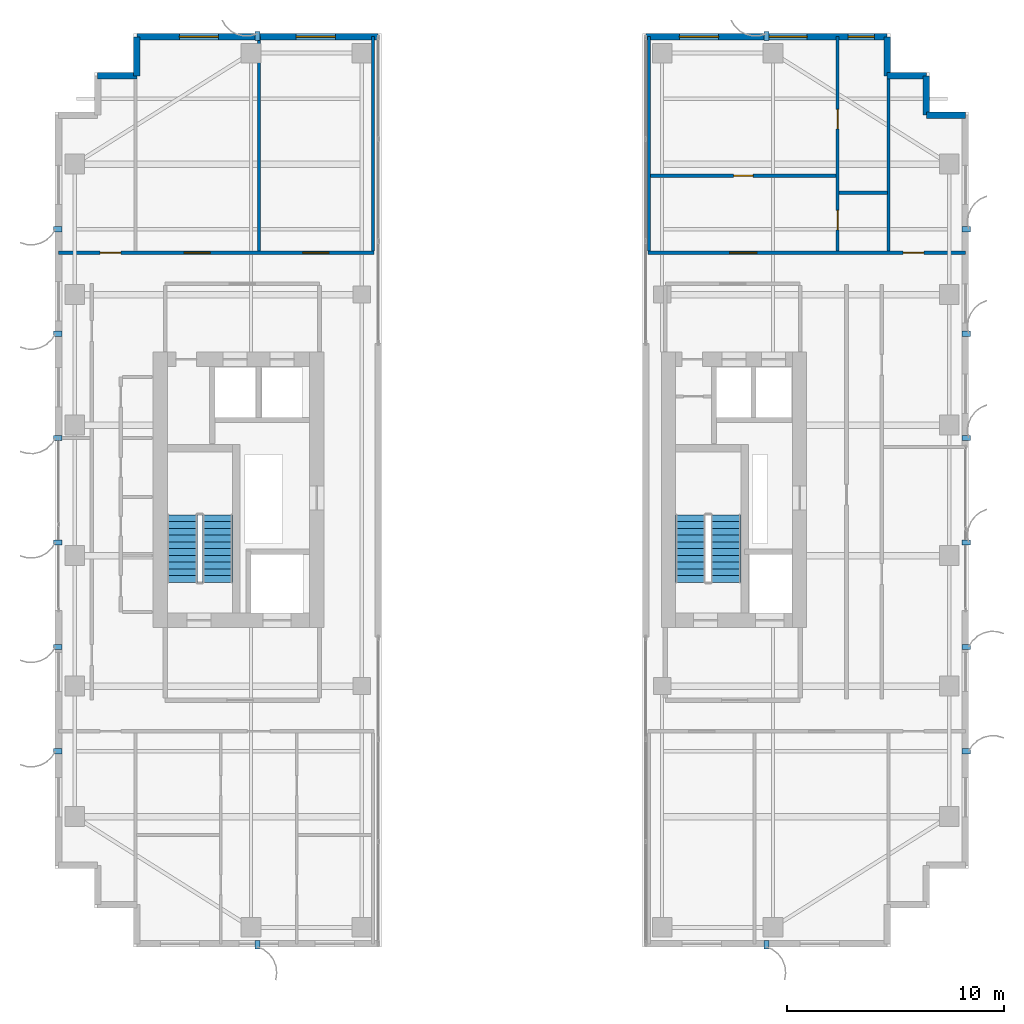
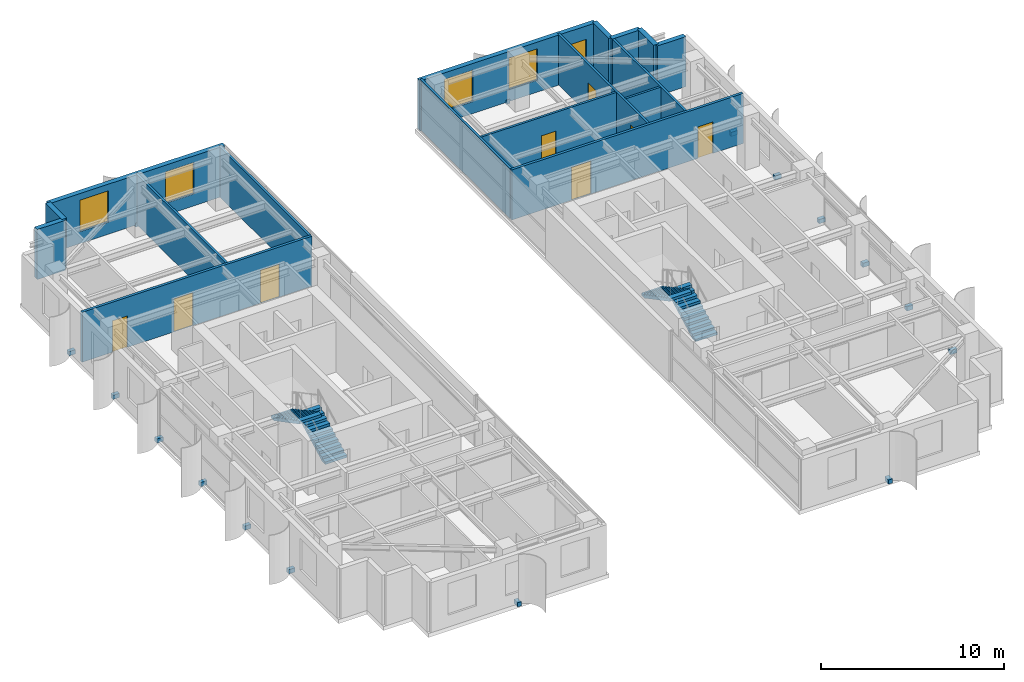
# One storey, part 19 of 22: 17 walls, 16 discrete accessories, 8 doors, 5 windows, 4 stair flights, 13 openings, 2 elements without a shape of their own.
"""IFC4 building model written with IfcOpenShell, lengths in metres."""

from ifc_helpers import new_model, si_unit, direction, frame, frame_2d, origin, origin_2d, place, context, subcontext, project, spatial, polyline, rectangle, outline, extrude, source, transform, mapped, material, layer, layer_set, type_object, element, fill, aggregate, save


model = new_model("IFC4")

# Units and contexts
model_context = context("Model", 3, precision=1e-05, world=origin(), true_north=direction((0.0, 1.0)))
body_context = subcontext(model_context, "Body", "Model", "MODEL_VIEW")
ifc_project = project(units=[si_unit("LENGTHUNIT", "METRE"), si_unit("AREAUNIT", "SQUARE_METRE"), si_unit("VOLUMEUNIT", "CUBIC_METRE"), si_unit("PLANEANGLEUNIT", "RADIAN"), si_unit("MASSUNIT", "GRAM", prefix="KILO")], contexts=[model_context])

# Site, building, storey
site_placement = place(None, origin())
site = spatial("IfcSite", under=ifc_project, at=site_placement, CompositionType="ELEMENT")
building_placement = place(site_placement, origin())
building = spatial("IfcBuilding", under=site, at=building_placement, Name="Khoralis Quay Care Tower", CompositionType="ELEMENT")
storey_placement = place(building_placement, frame((0.0, 0.0, 209.699951171875)))
storey = spatial("IfcBuildingStorey", under=building, at=storey_placement, Name="L55", CompositionType="ELEMENT", Elevation=209.699951171875)

# Wall, openings, doors
ifc_material_1 = material(Name="Gypsum plasterboard on acoustic metal stud")
ifc_layer_1 = layer(ifc_material_1, 0.1650390625)
ifc_layer_set_1 = layer_set([ifc_layer_1], Name="Gypsum plasterboard on acoustic metal stud")
wall_type_1 = type_object("IfcWallType", Name="WL-CORR-165", PredefinedType="PARTITIONING", material=ifc_layer_set_1)
wall_1_placement = place(storey_placement, frame((3.14501953125, 31.929931640625, 0.0), z_axis=(0.0, 0.0, 1.0), x_axis=(1.0, 0.0, 0.0)))
wall_1 = element("IfcWall", 1, at=wall_1_placement, inside=storey, type_object=wall_type_1, Name="L55 West Wing North Corridor Wall", PredefinedType="PARTITIONING", context=body_context, shape_type="SweptSolid", body=[
    extrude(rectangle(XDim=14.5048828125, YDim=0.1650390625, at=frame_2d((7.25244140625, 0.0))), origin(), (0.0, 0.0, 1.0), 3.340087890625),
])
opening_1_placement = place(wall_1_placement, frame((5.77490234375, 0.0, 0.0)))
opening_1 = element("IfcOpeningElement", 2, at=opening_1_placement, cuts=wall_1, Name="Opening FD1", PredefinedType="OPENING", context=body_context, shape_type="SweptSolid", body=[
    extrude(rectangle(XDim=1.199951171875, YDim=2.199951171875, at=frame_2d((0.60009765625, 1.10009765625))), frame((0.0, 0.092529296875, 0.0), z_axis=(0.0, -1.0, 0.0), x_axis=(1.0, 0.0, 0.0)), (0.0, 0.0, 1.0), 0.18505859375),
])
opening_2_placement = place(wall_1_placement, frame((11.235107421875, 0.0, 0.0)))
opening_2 = element("IfcOpeningElement", 3, at=opening_2_placement, cuts=wall_1, Name="Opening FD1", PredefinedType="OPENING", context=body_context, shape_type="SweptSolid", body=[
    extrude(rectangle(XDim=1.199951171875, YDim=2.199951171875, at=frame_2d((0.60009765625, 1.10009765625))), frame((0.0, 0.092529296875, 0.0), z_axis=(0.0, -1.0, 0.0), x_axis=(1.0, 0.0, 0.0)), (0.0, 0.0, 1.0), 0.18505859375),
])
opening_3_placement = place(wall_1_placement, frame((1.919921875, 0.0, 0.0)))
opening_3 = element("IfcOpeningElement", 4, at=opening_3_placement, cuts=wall_1, Name="Opening ID1", PredefinedType="OPENING", context=body_context, shape_type="SweptSolid", body=[
    extrude(rectangle(XDim=0.949951171875, YDim=2.10009765625, at=frame_2d((0.47509765625, 1.050048828125))), frame((0.0, 0.092529296875, 0.0), z_axis=(0.0, -1.0, 0.0), x_axis=(1.0, 0.0, 0.0)), (0.0, 0.0, 1.0), 0.18505859375),
])
ifc_material_2 = material(Name="Fire-rated painted steel", Category="steel")
door_type_1 = type_object("IfcDoorType", Name="DR-FFL-1200X2200", OperationType="NOTDEFINED", PredefinedType="DOOR", material=ifc_material_2)
shared_shape_1 = source(origin(), body_context, "Body", "SweptSolid", [
    extrude(rectangle(XDim=1.199951171875, YDim=2.199951171875, at=frame_2d((0.60009765625, 1.10009765625))), frame((0.0, 0.02490234375, 0.0), z_axis=(0.0, -1.0, 0.0), x_axis=(1.0, 0.0, 0.0)), (0.0, 0.0, 1.0), 0.050048828125),
])
door_1_placement = place(opening_1_placement, origin())
door_1 = element("IfcDoor", 5, at=door_1_placement, inside=storey, type_object=door_type_1, Name="L55 Resident Communal Day Lounge Door", OperationType="DOUBLE_DOOR_SINGLE_SWING", OverallHeight=2.199951171875, OverallWidth=1.199951171875, PredefinedType="DOOR", context=body_context, shape_type="MappedRepresentation", body=[
    mapped(shared_shape_1, transform((0.0, 0.0, 0.0), scale=1.0)),
])
fill(opening_1, door_1)
door_2_placement = place(opening_2_placement, origin())
door_2 = element("IfcDoor", 6, at=door_2_placement, inside=storey, type_object=door_type_1, Name="L55 Resident Communal Day Lounge Door", OperationType="DOUBLE_DOOR_SINGLE_SWING", OverallHeight=2.199951171875, OverallWidth=1.199951171875, PredefinedType="DOOR", context=body_context, shape_type="MappedRepresentation", body=[
    mapped(shared_shape_1, transform((0.0, 0.0, 0.0), scale=1.0)),
])
fill(opening_2, door_2)
ifc_material_3 = material(Name="Acoustic hardwood timber", Category="wood")
door_type_2 = type_object("IfcDoorType", Name="DR-ROOM-950X2100", OperationType="NOTDEFINED", PredefinedType="DOOR", material=ifc_material_3)
shared_shape_2 = source(origin(), body_context, "Body", "SweptSolid", [
    extrude(rectangle(XDim=0.949951171875, YDim=2.10009765625, at=frame_2d((0.47509765625, 1.050048828125))), frame((0.0, 0.02490234375, 0.0), z_axis=(0.0, -1.0, 0.0), x_axis=(1.0, 0.0, 0.0)), (0.0, 0.0, 1.0), 0.050048828125),
])
door_3_placement = place(opening_3_placement, origin())
door_3 = element("IfcDoor", 7, at=door_3_placement, inside=storey, type_object=door_type_2, Name="L55 NW Corner Door", OperationType="SINGLE_SWING_RIGHT", OverallHeight=2.10009765625, OverallWidth=0.949951171875, PredefinedType="DOOR", context=body_context, shape_type="MappedRepresentation", body=[
    mapped(shared_shape_2, transform((0.0, 0.0, 0.0), scale=1.0)),
])
fill(opening_3, door_3)

wall_2_placement = place(storey_placement, frame((30.25, 31.929931640625, 0.0), z_axis=(0.0, 0.0, 1.0), x_axis=(1.0, 0.0, 0.0)))
wall_2 = element("IfcWall", 8, at=wall_2_placement, inside=storey, type_object=wall_type_1, Name="L55 East Wing North Corridor Wall", PredefinedType="PARTITIONING", context=body_context, shape_type="SweptSolid", body=[
    extrude(rectangle(XDim=14.60498046875, YDim=0.1650390625, at=frame_2d((7.302490234375, 0.0))), origin(), (0.0, 0.0, 1.0), 3.340087890625),
])
opening_4_placement = place(wall_2_placement, frame((3.760009765625, 0.0, 0.0)))
opening_4 = element("IfcOpeningElement", 9, at=opening_4_placement, cuts=wall_2, Name="Opening CD1", PredefinedType="OPENING", context=body_context, shape_type="SweptSolid", body=[
    extrude(rectangle(XDim=1.25, YDim=2.199951171875, at=frame_2d((0.625, 1.10009765625))), frame((0.0, 0.092529296875, 0.0), z_axis=(0.0, -1.0, 0.0), x_axis=(1.0, 0.0, 0.0)), (0.0, 0.0, 1.0), 0.18505859375),
])
opening_5_placement = place(wall_2_placement, frame((11.735107421875, 0.0, 0.0)))
opening_5 = element("IfcOpeningElement", 10, at=opening_5_placement, cuts=wall_2, Name="Opening ID1", PredefinedType="OPENING", context=body_context, shape_type="SweptSolid", body=[
    extrude(rectangle(XDim=0.949951171875, YDim=2.10009765625, at=frame_2d((0.47509765625, 1.050048828125))), frame((0.0, 0.092529296875, 0.0), z_axis=(0.0, -1.0, 0.0), x_axis=(1.0, 0.0, 0.0)), (0.0, 0.0, 1.0), 0.18505859375),
])
door_type_3 = type_object("IfcDoorType", Name="DR-CARE-1250X2200", OperationType="NOTDEFINED", PredefinedType="DOOR", material=ifc_material_3)
shared_shape_3 = source(origin(), body_context, "Body", "SweptSolid", [
    extrude(rectangle(XDim=1.25, YDim=2.199951171875, at=frame_2d((0.625, 1.10009765625))), frame((0.0, 0.02490234375, 0.0), z_axis=(0.0, -1.0, 0.0), x_axis=(1.0, 0.0, 0.0)), (0.0, 0.0, 1.0), 0.050048828125),
])
door_4_placement = place(opening_4_placement, origin())
door_4 = element("IfcDoor", 11, at=door_4_placement, inside=storey, type_object=door_type_3, Name="L55 Care Suite EN0 Clinical Door", OperationType="SINGLE_SWING_RIGHT", OverallHeight=2.199951171875, OverallWidth=1.25, PredefinedType="DOOR", context=body_context, shape_type="MappedRepresentation", body=[
    mapped(shared_shape_3, transform((0.0, 0.0, 0.0), scale=1.0)),
])
fill(opening_4, door_4)
door_5_placement = place(opening_5_placement, origin())
door_5 = element("IfcDoor", 12, at=door_5_placement, inside=storey, type_object=door_type_2, Name="L55 NE Corner Door", OperationType="SINGLE_SWING_LEFT", OverallHeight=2.10009765625, OverallWidth=0.949951171875, PredefinedType="DOOR", context=body_context, shape_type="MappedRepresentation", body=[
    mapped(shared_shape_2, transform((0.0, 0.0, 0.0), scale=1.0)),
])
fill(opening_5, door_5)

# Wall, openings, windows
ifc_material_4 = material(Name="Precast concrete C45/55", Category="concrete")
ifc_layer_2 = layer(ifc_material_4, 0.300048828125)
ifc_layer_set_2 = layer_set([ifc_layer_2], Name="Precast concrete C45/55")
wall_type_2 = type_object("IfcWallType", Name="WL-EXT-REF-300", PredefinedType="SOLIDWALL", material=ifc_layer_set_2)
wall_3_placement = place(storey_placement, frame((17.85009765625, 41.85009765625, 0.0), z_axis=(0.0, 0.0, 1.0), x_axis=(-1.0, 0.0, 0.0)))
wall_3 = element("IfcWall", 13, at=wall_3_placement, inside=storey, type_object=wall_type_2, Name="L55 External Facade Wall WL-EXT-L55-P1-E2", PredefinedType="SOLIDWALL", context=body_context, shape_type="SweptSolid", body=[
    extrude(rectangle(XDim=11.10009765625, YDim=0.300048828125, at=frame_2d((5.550048828125, 0.0))), origin(), (0.0, 0.0, 1.0), 3.340087890625),
])
opening_6_placement = place(wall_3_placement, frame((1.969970703125, 0.0, 0.800048828125)))
opening_6 = element("IfcOpeningElement", 14, at=opening_6_placement, cuts=wall_3, Name="Opening W2", PredefinedType="OPENING", context=body_context, shape_type="SweptSolid", body=[
    extrude(rectangle(XDim=1.800048828125, YDim=2.10009765625, at=frame_2d((0.89990234375, 1.050048828125))), frame((0.0, 0.16015625, 0.0), z_axis=(0.0, -1.0, 0.0), x_axis=(1.0, 0.0, 0.0)), (0.0, 0.0, 1.0), 0.320068359375),
])
opening_7_placement = place(wall_3_placement, frame((7.344970703125, 0.0, 0.800048828125)))
opening_7 = element("IfcOpeningElement", 15, at=opening_7_placement, cuts=wall_3, Name="Opening W2", PredefinedType="OPENING", context=body_context, shape_type="SweptSolid", body=[
    extrude(rectangle(XDim=1.800048828125, YDim=2.10009765625, at=frame_2d((0.89990234375, 1.050048828125))), frame((0.0, 0.16015625, 0.0), z_axis=(0.0, -1.0, 0.0), x_axis=(1.0, 0.0, 0.0)), (0.0, 0.0, 1.0), 0.320068359375),
])
ifc_material_5 = material(Name="Low-E solar-control double glazing", Category="glass")
window_type_1 = type_object("IfcWindowType", Name="WN-POD-1800X2100", PartitioningType="SINGLE_PANEL", PredefinedType="WINDOW", material=ifc_material_5)
shared_shape_4 = source(origin(), body_context, "Body", "SweptSolid", [
    extrude(rectangle(XDim=1.800048828125, YDim=2.10009765625, at=frame_2d((0.89990234375, 1.050048828125))), frame((0.0, 0.030029296875, 0.0), z_axis=(0.0, -1.0, 0.0), x_axis=(1.0, 0.0, 0.0)), (0.0, 0.0, 1.0), 0.06005859375),
])
window_1_placement = place(opening_6_placement, origin())
window_1 = element("IfcWindow", 16, at=window_1_placement, inside=storey, type_object=window_type_1, Name="WN-L55-P1-E2 Facade Window 01", OverallHeight=2.10009765625, OverallWidth=1.800048828125, PartitioningType="SINGLE_PANEL", PredefinedType="WINDOW", context=body_context, shape_type="MappedRepresentation", body=[
    mapped(shared_shape_4, transform((0.0, 0.0, 0.0), scale=1.0)),
])
fill(opening_6, window_1)
window_2_placement = place(opening_7_placement, origin())
window_2 = element("IfcWindow", 17, at=window_2_placement, inside=storey, type_object=window_type_1, Name="WN-L55-P1-E2 Facade Window 02", OverallHeight=2.10009765625, OverallWidth=1.800048828125, PartitioningType="SINGLE_PANEL", PredefinedType="WINDOW", context=body_context, shape_type="MappedRepresentation", body=[
    mapped(shared_shape_4, transform((0.0, 0.0, 0.0), scale=1.0)),
])
fill(opening_7, window_2)

# Walls
for number, where, z_axis, x_axis, name in (
    (18, (6.75, 41.85009765625, 0.0), (0.0, 0.0, 1.0), (0.0, -1.0, 0.0), "L55 External Facade Wall WL-EXT-L55-P1-C3"),
    (19, (6.75, 40.050048828125, 0.0), (0.0, 0.0, 1.0), (-1.0, 0.0, 0.0), "L55 External Facade Wall WL-EXT-L55-P1-C4"),
    (20, (44.85009765625, 38.25, 0.0), (0.0, 0.0, 1.0), (-1.0, 0.0, 0.0), "L55 External Facade Wall WL-EXT-L55-P2-C6"),
    (21, (43.050048828125, 38.25, 0.0), (0.0, 0.0, 1.0), (0.0, 1.0, 0.0), "L55 External Facade Wall WL-EXT-L55-P2-C7"),
    (22, (43.050048828125, 40.050048828125, 0.0), (0.0, 0.0, 1.0), (-1.0, 0.0, 0.0), "L55 External Facade Wall WL-EXT-L55-P2-C8"),
    (23, (41.25, 40.050048828125, 0.0), (0.0, 0.0, 1.0), (0.0, 1.0, 0.0), "L55 External Facade Wall WL-EXT-L55-P2-C9"),
):
    element("IfcWall", number, at=place(storey_placement, frame(where, z_axis=z_axis, x_axis=x_axis)), inside=storey, type_object=wall_type_2, Name=name, PredefinedType="SOLIDWALL", context=body_context, shape_type="SweptSolid", body=[
        extrude(rectangle(XDim=1.800048828125, YDim=0.300048828125, at=frame_2d((0.89990234375, 0.0))), origin(), (0.0, 0.0, 1.0), 3.340087890625),
    ])

# Wall, openings, windows
wall_4_placement = place(storey_placement, frame((41.25, 41.85009765625, 0.0), z_axis=(0.0, 0.0, 1.0), x_axis=(-1.0, 0.0, 0.0)))
wall_4 = element("IfcWall", 24, at=wall_4_placement, inside=storey, type_object=wall_type_2, Name="L55 External Facade Wall WL-EXT-L55-P2-E10", PredefinedType="SOLIDWALL", context=body_context, shape_type="SweptSolid", body=[
    extrude(rectangle(XDim=11.10009765625, YDim=0.300048828125, at=frame_2d((5.550048828125, 0.0))), origin(), (0.0, 0.0, 1.0), 3.340087890625),
])
opening_8_placement = place(wall_4_placement, frame((0.590087890625, 0.0, 0.949951171875)))
opening_8 = element("IfcOpeningElement", 25, at=opening_8_placement, cuts=wall_4, Name="Opening W6", PredefinedType="OPENING", context=body_context, shape_type="SweptSolid", body=[
    extrude(rectangle(XDim=1.199951171875, YDim=1.5, at=frame_2d((0.60009765625, 0.75))), frame((0.0, 0.16015625, 0.0), z_axis=(0.0, -1.0, 0.0), x_axis=(1.0, 0.0, 0.0)), (0.0, 0.0, 1.0), 0.320068359375),
])
opening_9_placement = place(wall_4_placement, frame((3.677490234375, 0.0, 0.800048828125)))
opening_9 = element("IfcOpeningElement", 26, at=opening_9_placement, cuts=wall_4, Name="Opening W2", PredefinedType="OPENING", context=body_context, shape_type="SweptSolid", body=[
    extrude(rectangle(XDim=1.800048828125, YDim=2.10009765625, at=frame_2d((0.89990234375, 1.050048828125))), frame((0.0, 0.16015625, 0.0), z_axis=(0.0, -1.0, 0.0), x_axis=(1.0, 0.0, 0.0)), (0.0, 0.0, 1.0), 0.320068359375),
])
opening_10_placement = place(wall_4_placement, frame((7.75244140625, 0.0, 0.800048828125)))
opening_10 = element("IfcOpeningElement", 27, at=opening_10_placement, cuts=wall_4, Name="Opening W2", PredefinedType="OPENING", context=body_context, shape_type="SweptSolid", body=[
    extrude(rectangle(XDim=1.800048828125, YDim=2.10009765625, at=frame_2d((0.89990234375, 1.050048828125))), frame((0.0, 0.16015625, 0.0), z_axis=(0.0, -1.0, 0.0), x_axis=(1.0, 0.0, 0.0)), (0.0, 0.0, 1.0), 0.320068359375),
])
window_type_2 = type_object("IfcWindowType", Name="WN-SCH-1200X1500", PartitioningType="SINGLE_PANEL", PredefinedType="WINDOW", material=ifc_material_5)
shared_shape_5 = source(origin(), body_context, "Body", "SweptSolid", [
    extrude(rectangle(XDim=1.199951171875, YDim=1.5, at=frame_2d((0.60009765625, 0.75))), frame((0.0, 0.030029296875, 0.0), z_axis=(0.0, -1.0, 0.0), x_axis=(1.0, 0.0, 0.0)), (0.0, 0.0, 1.0), 0.06005859375),
])
window_3_placement = place(opening_8_placement, origin())
window_3 = element("IfcWindow", 28, at=window_3_placement, inside=storey, type_object=window_type_2, Name="WN-L55-P2-E10 Facade Window 01", OverallHeight=1.5, OverallWidth=1.199951171875, PartitioningType="SINGLE_PANEL", PredefinedType="WINDOW", context=body_context, shape_type="MappedRepresentation", body=[
    mapped(shared_shape_5, transform((0.0, 0.0, 0.0), scale=1.0)),
])
fill(opening_8, window_3)
window_4_placement = place(opening_9_placement, origin())
window_4 = element("IfcWindow", 29, at=window_4_placement, inside=storey, type_object=window_type_1, Name="WN-L55-P2-E10 Facade Window 02", OverallHeight=2.10009765625, OverallWidth=1.800048828125, PartitioningType="SINGLE_PANEL", PredefinedType="WINDOW", context=body_context, shape_type="MappedRepresentation", body=[
    mapped(shared_shape_4, transform((0.0, 0.0, 0.0), scale=1.0)),
])
fill(opening_9, window_4)
window_5_placement = place(opening_10_placement, origin())
window_5 = element("IfcWindow", 30, at=window_5_placement, inside=storey, type_object=window_type_1, Name="WN-L55-P2-E10 Facade Window 03", OverallHeight=2.10009765625, OverallWidth=1.800048828125, PartitioningType="SINGLE_PANEL", PredefinedType="WINDOW", context=body_context, shape_type="MappedRepresentation", body=[
    mapped(shared_shape_4, transform((0.0, 0.0, 0.0), scale=1.0)),
])
fill(opening_10, window_5)

# Wall, openings, doors
ifc_material_6 = material(Name="Moisture-resistant gypsum and ceramic tile")
ifc_layer_3 = layer(ifc_material_6, 0.280029296875)
ifc_layer_set_3 = layer_set([ifc_layer_3], Name="Moisture-resistant gypsum and ceramic tile")
wall_type_3 = type_object("IfcWallType", Name="WL-PLUMB-280", PredefinedType="PLUMBINGWALL", material=ifc_layer_set_3)
wall_5_placement = place(storey_placement, frame((38.969970703125, 32.007568359375, 0.0), z_axis=(0.0, 0.0, 1.0), x_axis=(0.0, 1.0, 0.0)))
wall_5 = element("IfcWall", 31, at=wall_5_placement, inside=storey, type_object=wall_type_3, Name="L55 Care Suite 0 En-Suite Wall V", PredefinedType="PLUMBINGWALL", context=body_context, shape_type="SweptSolid", body=[
    extrude(rectangle(XDim=9.847412109375, YDim=0.139892578125, at=frame_2d((4.923828125, 0.0))), origin(), (0.0, 0.0, 1.0), 3.340087890625),
])
opening_11_placement = place(wall_5_placement, frame((0.96240234375, 0.0, 0.0)))
opening_11 = element("IfcOpeningElement", 32, at=opening_11_placement, cuts=wall_5, Name="Opening WD1", PredefinedType="OPENING", context=body_context, shape_type="SweptSolid", body=[
    extrude(rectangle(XDim=0.89990234375, YDim=2.10009765625, at=frame_2d((0.449951171875, 1.050048828125))), frame((0.0, 0.080078125, 0.0), z_axis=(0.0, -1.0, 0.0), x_axis=(1.0, 0.0, 0.0)), (0.0, 0.0, 1.0), 0.159912109375),
])
opening_12_placement = place(wall_5_placement, frame((5.607421875, 0.0, 0.0)))
opening_12 = element("IfcOpeningElement", 33, at=opening_12_placement, cuts=wall_5, Name="Opening WD1", PredefinedType="OPENING", context=body_context, shape_type="SweptSolid", body=[
    extrude(rectangle(XDim=0.89990234375, YDim=2.10009765625, at=frame_2d((0.449951171875, 1.050048828125))), frame((0.0, 0.080078125, 0.0), z_axis=(0.0, -1.0, 0.0), x_axis=(1.0, 0.0, 0.0)), (0.0, 0.0, 1.0), 0.159912109375),
])
door_type_4 = type_object("IfcDoorType", Name="DR-BATH-900X2100", OperationType="NOTDEFINED", PredefinedType="DOOR", material=ifc_material_3)
shared_shape_6 = source(origin(), body_context, "Body", "SweptSolid", [
    extrude(rectangle(XDim=0.89990234375, YDim=2.10009765625, at=frame_2d((0.449951171875, 1.050048828125))), frame((0.0, 0.02490234375, 0.0), z_axis=(0.0, -1.0, 0.0), x_axis=(1.0, 0.0, 0.0)), (0.0, 0.0, 1.0), 0.050048828125),
])
door_6_placement = place(opening_11_placement, frame((0.89990234375, 0.0, 0.0), z_axis=(0.0, 0.0, 1.0), x_axis=(-1.0, 0.0, 0.0)))
door_6 = element("IfcDoor", 34, at=door_6_placement, inside=storey, type_object=door_type_4, Name="L55 Care CENS Door", OperationType="SINGLE_SWING_LEFT", OverallHeight=2.10009765625, OverallWidth=0.89990234375, PredefinedType="DOOR", context=body_context, shape_type="MappedRepresentation", body=[
    mapped(shared_shape_6, transform((0.0, 0.0, 0.0), scale=1.0)),
])
fill(opening_11, door_6)
door_7_placement = place(opening_12_placement, frame((0.89990234375, 0.0, 0.0), z_axis=(0.0, 0.0, 1.0), x_axis=(-1.0, 0.0, 0.0)))
door_7 = element("IfcDoor", 35, at=door_7_placement, inside=storey, type_object=door_type_4, Name="L55 Care CSIT Door", OperationType="SINGLE_SWING_RIGHT", OverallHeight=2.10009765625, OverallWidth=0.89990234375, PredefinedType="DOOR", context=body_context, shape_type="MappedRepresentation", body=[
    mapped(shared_shape_6, transform((0.0, 0.0, 0.0), scale=1.0)),
])
fill(opening_12, door_7)

# Walls
wall_6_placement = place(storey_placement, frame((39.034912109375, 34.679931640625, 0.0), z_axis=(0.0, 0.0, 1.0), x_axis=(1.0, 0.0, 0.0)))
element("IfcWall", 36, at=wall_6_placement, inside=storey, type_object=wall_type_3, Name="L55 Care Suite 0 En-Suite Wall H", PredefinedType="PLUMBINGWALL", context=body_context, shape_type="SweptSolid", body=[
    extrude(rectangle(XDim=2.219970703125, YDim=0.139892578125, at=frame_2d((1.10986328125, 0.0))), origin(), (0.0, 0.0, 1.0), 3.340087890625),
])
ifc_layer_4 = layer(ifc_material_1, 0.139892578125)
ifc_layer_set_4 = layer_set([ifc_layer_4], Name="Gypsum plasterboard on acoustic metal stud")
wall_type_4 = type_object("IfcWallType", Name="WL-UNIT-140", PredefinedType="PARTITIONING", material=ifc_layer_set_4)
for number, where, z_axis, x_axis, name in (
    (37, (12.360107421875, 32.007568359375, 0.0), (0.0, 0.0, 1.0), (0.0, 1.0, 0.0), "L55 WN Demising Wall 1"),
    (38, (17.60009765625, 32.007568359375, 0.0), (0.0, 0.0, 1.0), (0.0, 1.0, 0.0), "L55 WN Demising Wall 2"),
    (39, (30.300048828125, 32.007568359375, 0.0), (0.0, 0.0, 1.0), (0.0, 1.0, 0.0), "L55 EN Demising Wall 0"),
):
    element("IfcWall", number, at=place(storey_placement, frame(where, z_axis=z_axis, x_axis=x_axis)), inside=storey, type_object=wall_type_4, Name=name, PredefinedType="PARTITIONING", context=body_context, shape_type="SweptSolid", body=[
        extrude(rectangle(XDim=9.847412109375, YDim=0.139892578125, at=frame_2d((4.923828125, 0.0))), origin(), (0.0, 0.0, 1.0), 3.340087890625),
    ])
wall_7_placement = place(storey_placement, frame((41.320068359375, 32.007568359375, 0.0), z_axis=(0.0, 0.0, 1.0), x_axis=(0.0, 1.0, 0.0)))
element("IfcWall", 40, at=wall_7_placement, inside=storey, type_object=wall_type_4, Name="L55 EN Demising Wall 1", PredefinedType="PARTITIONING", context=body_context, shape_type="SweptSolid", body=[
    extrude(rectangle(XDim=8.04736328125, YDim=0.139892578125, at=frame_2d((4.023681640625, 0.0))), origin(), (0.0, 0.0, 1.0), 3.340087890625),
])

# Wall, opening, door
wall_8_placement = place(storey_placement, frame((30.364990234375, 35.4599609375, 0.0), z_axis=(0.0, 0.0, 1.0), x_axis=(1.0, 0.0, 0.0)))
wall_8 = element("IfcWall", 41, at=wall_8_placement, inside=storey, type_object=wall_type_4, Name="Skilled Care Bedroom L55-EN0 Sub-Partition", PredefinedType="PARTITIONING", context=body_context, shape_type="SweptSolid", body=[
    extrude(rectangle(XDim=8.5400390625, YDim=0.139892578125, at=frame_2d((4.27001953125, 0.0))), origin(), (0.0, 0.0, 1.0), 3.340087890625),
])
opening_13_placement = place(wall_8_placement, frame((3.820068359375, 0.0, 0.0)))
opening_13 = element("IfcOpeningElement", 42, at=opening_13_placement, cuts=wall_8, Name="Opening WD1", PredefinedType="OPENING", context=body_context, shape_type="SweptSolid", body=[
    extrude(rectangle(XDim=0.89990234375, YDim=2.10009765625, at=frame_2d((0.449951171875, 1.050048828125))), frame((0.0, 0.080078125, 0.0), z_axis=(0.0, -1.0, 0.0), x_axis=(1.0, 0.0, 0.0)), (0.0, 0.0, 1.0), 0.159912109375),
])
door_8_placement = place(opening_13_placement, frame((0.89990234375, 0.0, 0.0), z_axis=(0.0, 0.0, 1.0), x_axis=(-1.0, 0.0, 0.0)))
door_8 = element("IfcDoor", 43, at=door_8_placement, inside=storey, type_object=door_type_4, Name="Private Study & Reading Alcove ARE0 Door", OperationType="SINGLE_SWING_LEFT", OverallHeight=2.10009765625, OverallWidth=0.89990234375, PredefinedType="DOOR", context=body_context, shape_type="MappedRepresentation", body=[
    mapped(shared_shape_6, transform((0.0, 0.0, 0.0), scale=1.0)),
])
fill(opening_13, door_8)

# Stair, stair flights
stair_type = type_object("IfcStairType", Name="ST-TWR-DOGLEG-1400", PredefinedType="HALF_TURN_STAIR", material=ifc_material_4)
stair_1_placement = place(storey_placement, origin())
stair_1 = element("IfcStair", 44, at=stair_1_placement, inside=storey, type_object=stair_type, Name="L55 West Core Exit Stair ST-T1", PredefinedType="HALF_TURN_STAIR")
stair_flight_type = type_object("IfcStairFlightType", Name="SF-TWR-1400", PredefinedType="STRAIGHT", material=ifc_material_4)
shared_shape_7 = source(origin(), body_context, "Body", "SweptSolid", [
    extrude(outline(polyline([(0.0, 0.0), (0.0, 0.16357421875), (0.31005859375, 0.16357421875), (0.31005859375, 0.327392578125), (0.6201171875, 0.327392578125), (0.6201171875, 0.490966796875), (0.929931640625, 0.490966796875), (0.929931640625, 0.654541015625), (1.239990234375, 0.654541015625), (1.239990234375, 0.818115234375), (1.550048828125, 0.818115234375), (1.550048828125, 0.98193359375), (1.860107421875, 0.98193359375), (1.860107421875, 1.1455078125), (2.169921875, 1.1455078125), (2.169921875, 1.30908203125), (2.47998046875, 1.30908203125), (2.47998046875, 1.47265625), (2.7900390625, 1.47265625), (2.7900390625, 1.636474609375), (3.10009765625, 1.636474609375), (3.10009765625, 1.800048828125), (3.10009765625, 1.466796875), (0.321044921875, 0.0), (0.0, 0.0)])), frame((0.0, 0.68994140625, 0.0), z_axis=(0.0, -1.0, 0.0), x_axis=(1.0, 0.0, 0.0)), (0.0, 0.0, 1.0), 1.3798828125),
])
stair_flight_1_placement = place(storey_placement, frame((10.4599609375, 16.77001953125, 0.0), z_axis=(0.0, 0.0, 1.0), x_axis=(0.0, 1.0, 0.0)))
stair_flight_1 = element("IfcStairFlight", 45, at=stair_flight_1_placement, type_object=stair_flight_type, Name="ST-T1 flight 1", NumberOfRisers=11, NumberOfTreads=10, PredefinedType="STRAIGHT", RiserHeight=0.163636364, TreadLength=0.31, context=body_context, shape_type="MappedRepresentation", body=[
    mapped(shared_shape_7, transform((0.0, 0.0, 0.0), scale=1.0)),
])
stair_flight_2_placement = place(storey_placement, frame((8.840087890625, 19.8701171875, 1.800048828125), z_axis=(0.0, 0.0, 1.0), x_axis=(0.0, -1.0, 0.0)))
stair_flight_2 = element("IfcStairFlight", 46, at=stair_flight_2_placement, type_object=stair_flight_type, Name="ST-T1 flight 2", NumberOfRisers=11, NumberOfTreads=10, PredefinedType="STRAIGHT", RiserHeight=0.163636364, TreadLength=0.31, context=body_context, shape_type="MappedRepresentation", body=[
    mapped(shared_shape_7, transform((0.0, 0.0, 0.0), scale=1.0)),
])
aggregate(stair_1, [stair_flight_1, stair_flight_2])

stair_2_placement = place(storey_placement, origin())
stair_2 = element("IfcStair", 47, at=stair_2_placement, inside=storey, type_object=stair_type, Name="L55 East Core Exit Stair ST-T2", PredefinedType="HALF_TURN_STAIR")
stair_flight_3_placement = place(storey_placement, frame((33.830078125, 16.77001953125, 0.0), z_axis=(0.0, 0.0, 1.0), x_axis=(0.0, 1.0, 0.0)))
stair_flight_3 = element("IfcStairFlight", 48, at=stair_flight_3_placement, type_object=stair_flight_type, Name="ST-T2 flight 1", NumberOfRisers=11, NumberOfTreads=10, PredefinedType="STRAIGHT", RiserHeight=0.163636364, TreadLength=0.31, context=body_context, shape_type="MappedRepresentation", body=[
    mapped(shared_shape_7, transform((0.0, 0.0, 0.0), scale=1.0)),
])
stair_flight_4_placement = place(storey_placement, frame((32.2099609375, 19.8701171875, 1.800048828125), z_axis=(0.0, 0.0, 1.0), x_axis=(0.0, -1.0, 0.0)))
stair_flight_4 = element("IfcStairFlight", 49, at=stair_flight_4_placement, type_object=stair_flight_type, Name="ST-T2 flight 2", NumberOfRisers=11, NumberOfTreads=10, PredefinedType="STRAIGHT", RiserHeight=0.163636364, TreadLength=0.31, context=body_context, shape_type="MappedRepresentation", body=[
    mapped(shared_shape_7, transform((0.0, 0.0, 0.0), scale=1.0)),
])
aggregate(stair_2, [stair_flight_3, stair_flight_4])

# Discrete accessories
ifc_material_7 = material(Name="Brushed stainless steel", Category="steel")
discrete_accessory_type = type_object("IfcDiscreteAccessoryType", Name="ACC-FIN-BRACKET", PredefinedType="BRACKET", material=ifc_material_7)
shared_shape_8 = source(origin(), body_context, "Body", "SweptSolid", [
    extrude(rectangle(XDim=0.39990234375, YDim=0.239990234375, at=origin_2d()), origin(), (0.0, 0.0, 1.0), 0.280029296875),
])
for number, where, z_axis, x_axis, name in (
    (50, (12.300048828125, 0.110107421875, -0.1201171875), (0.0, 0.0, 1.0), (0.0, -1.0, 0.0), "L55 Solar Fin Bracket P1E0-01"),
    (51, (12.300048828125, 41.889892578125, -0.1201171875), (0.0, 0.0, 1.0), (0.0, 1.0, 0.0), "L55 Solar Fin Bracket P1E2-01"),
    (52, (3.110107421875, 33.0, -0.1201171875), (0.0, 0.0, 1.0), (-1.0, 0.0, 0.0), "L55 Solar Fin Bracket P1E7-01"),
    (53, (3.110107421875, 28.199951171875, -0.1201171875), (0.0, 0.0, 1.0), (-1.0, 0.0, 0.0), "L55 Solar Fin Bracket P1E7-02"),
    (54, (3.110107421875, 23.39990234375, -0.1201171875), (0.0, 0.0, 1.0), (-1.0, 0.0, 0.0), "L55 Solar Fin Bracket P1E7-03"),
    (55, (3.110107421875, 18.60009765625, -0.1201171875), (0.0, 0.0, 1.0), (-1.0, 0.0, 0.0), "L55 Solar Fin Bracket P1E7-04"),
    (56, (3.110107421875, 13.800048828125, -0.1201171875), (0.0, 0.0, 1.0), (-1.0, 0.0, 0.0), "L55 Solar Fin Bracket P1E7-05"),
    (57, (3.110107421875, 9.0, -0.1201171875), (0.0, 0.0, 1.0), (-1.0, 0.0, 0.0), "L55 Solar Fin Bracket P1E7-06"),
    (58, (35.699951171875, 0.110107421875, -0.1201171875), (0.0, 0.0, 1.0), (0.0, -1.0, 0.0), "L55 Solar Fin Bracket P2E0-01"),
    (59, (44.889892578125, 9.0, -0.1201171875), (0.0, 0.0, 1.0), (1.0, 0.0, 0.0), "L55 Solar Fin Bracket P2E5-01"),
    (60, (44.889892578125, 13.800048828125, -0.1201171875), (0.0, 0.0, 1.0), (1.0, 0.0, 0.0), "L55 Solar Fin Bracket P2E5-02"),
    (61, (44.889892578125, 18.60009765625, -0.1201171875), (0.0, 0.0, 1.0), (1.0, 0.0, 0.0), "L55 Solar Fin Bracket P2E5-03"),
    (62, (44.889892578125, 23.39990234375, -0.1201171875), (0.0, 0.0, 1.0), (1.0, 0.0, 0.0), "L55 Solar Fin Bracket P2E5-04"),
    (63, (44.889892578125, 28.199951171875, -0.1201171875), (0.0, 0.0, 1.0), (1.0, 0.0, 0.0), "L55 Solar Fin Bracket P2E5-05"),
    (64, (44.889892578125, 33.0, -0.1201171875), (0.0, 0.0, 1.0), (1.0, 0.0, 0.0), "L55 Solar Fin Bracket P2E5-06"),
    (65, (35.699951171875, 41.889892578125, -0.1201171875), (0.0, 0.0, 1.0), (0.0, 1.0, 0.0), "L55 Solar Fin Bracket P2E10-01"),
):
    element("IfcDiscreteAccessory", number, at=place(storey_placement, frame(where, z_axis=z_axis, x_axis=x_axis)), inside=storey, type_object=discrete_accessory_type, Name=name, PredefinedType="BRACKET", context=body_context, shape_type="MappedRepresentation", body=[
        mapped(shared_shape_8, transform((0.0, 0.0, 0.0), scale=1.0)),
    ])

save(model, "model.ifc")
